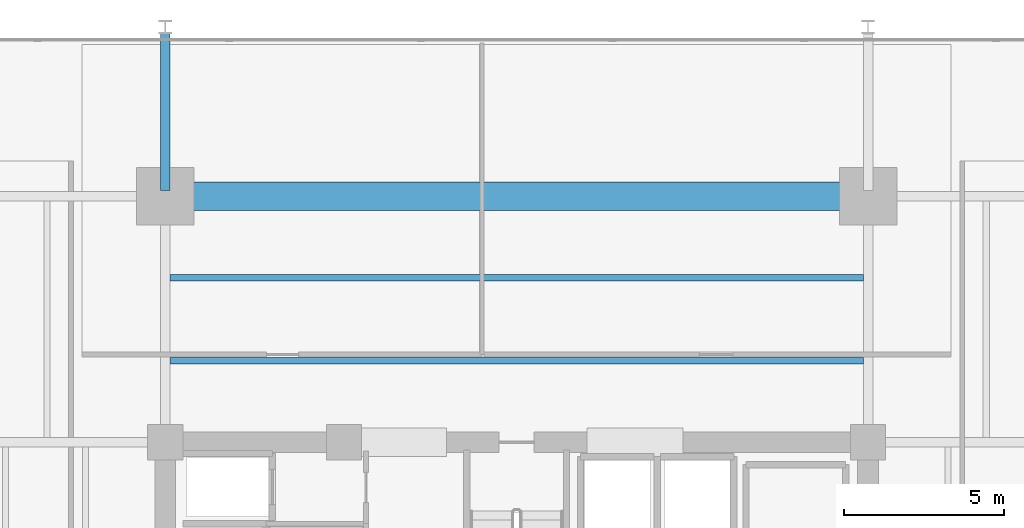
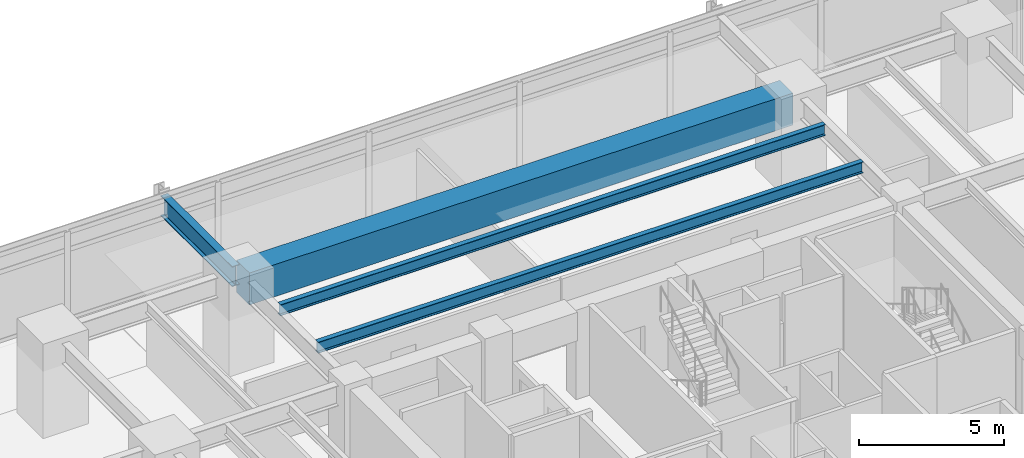
# One storey, part 9 of 21: 4 beams.
"""IFC4 building model written with IfcOpenShell, lengths in metres."""

from ifc_helpers import new_model, si_unit, direction, frame, origin, origin_2d, place, context, subcontext, project, spatial, rectangle, i_section, extrude, material, material_profile, profile_set, type_object, element, save


model = new_model("IFC4")

# Units and contexts
model_context = context("Model", 3, precision=1e-05, world=origin(), true_north=direction((0.0, 1.0)))
body_context = subcontext(model_context, "Body", "Model", "MODEL_VIEW")
ifc_project = project(units=[si_unit("LENGTHUNIT", "METRE"), si_unit("AREAUNIT", "SQUARE_METRE"), si_unit("VOLUMEUNIT", "CUBIC_METRE"), si_unit("PLANEANGLEUNIT", "RADIAN"), si_unit("MASSUNIT", "GRAM", prefix="KILO")], contexts=[model_context])

# Site, building, storey
site_placement = place(None, origin())
site = spatial("IfcSite", under=ifc_project, at=site_placement, CompositionType="ELEMENT")
building_placement = place(site_placement, origin())
building = spatial("IfcBuilding", under=site, at=building_placement, Name="Kovane Verandah Tower", CompositionType="ELEMENT")
storey_placement = place(building_placement, frame((0.0, 0.0, 27.60009765625)))
storey = spatial("IfcBuildingStorey", under=building, at=storey_placement, Name="L05", CompositionType="ELEMENT", Elevation=27.60009765625)

# Beams
ifc_material_1 = material(Name="Concrete C80/95", Category="concrete")
ifc_material_profile_1 = material_profile(ifc_material_1, rectangle(XDim=0.89990234375, YDim=1.35009765625, at=origin_2d()), Name="RCB900x1350")
ifc_profile_set_1 = profile_set([ifc_material_profile_1], Name="Concrete C80/95")
beam_type_1 = type_object("IfcBeamType", Name="BM-TR-900x1350", PredefinedType="BEAM", material=ifc_profile_set_1)
beam_1_placement = place(storey_placement, frame((29.179931640625, 44.199951171875, 3.0849609375), z_axis=(1.0, 0.0, 0.0), x_axis=(0.0, 1.0, 0.0)))
element("IfcBeam", 1, at=beam_1_placement, inside=storey, type_object=beam_type_1, Name="L05 Primary Tower Girder G-RN2", PredefinedType="BEAM", context=body_context, shape_type="SweptSolid", body=[
    extrude(rectangle(XDim=0.89990234375, YDim=1.35009765625, at=origin_2d()), origin(), (0.0, 0.0, 1.0), 21.64013671875),
])
ifc_material_2 = material(Name="Steel S355", Category="steel")
ifc_material_profile_2 = material_profile(ifc_material_2, i_section(OverallWidth=0.293701171875, OverallDepth=0.850830078125, WebThickness=0.01611328125, FlangeThickness=0.02685546875, FilletRadius=0.017822265625, at=origin_2d()), Name="UB838x292x226")
ifc_profile_set_2 = profile_set([ifc_material_profile_2], Name="Steel S355")
beam_type_2 = type_object("IfcBeamType", Name="BM-UB838x226", PredefinedType="BEAM", material=ifc_profile_set_2)
beam_2_placement = place(storey_placement, frame((29.0, 44.3798828125, 3.33447265625), z_axis=(0.0, 1.0, 0.0), x_axis=(-1.0, 0.0, 0.0)))
element("IfcBeam", 2, at=beam_2_placement, inside=storey, type_object=beam_type_2, Name="L05 Primary Tower Girder G-VN1", PredefinedType="BEAM", context=body_context, shape_type="SweptSolid", body=[
    extrude(i_section(OverallWidth=0.293701171875, OverallDepth=0.850830078125, WebThickness=0.01611328125, FlangeThickness=0.02685546875, FilletRadius=0.017822265625, at=origin_2d()), origin(), (0.0, 0.0, 1.0), 4.940185546875),
])
ifc_material_profile_3 = material_profile(ifc_material_2, i_section(OverallWidth=0.19287109375, OverallDepth=0.46728515625, WebThickness=0.011474609375, FlangeThickness=0.01953125, FilletRadius=0.01025390625, at=origin_2d()), Name="UB457x191x98")
ifc_profile_set_3 = profile_set([ifc_material_profile_3], Name="Steel S355")
beam_type_3 = type_object("IfcBeamType", Name="JST-UB457x98", PredefinedType="JOIST", material=ifc_profile_set_3)
for number, where, z_axis, x_axis, name in (
    (3, (29.14501953125, 39.050048828125, 3.5263671875), (1.0, 0.0, 0.0), (0.0, 1.0, 0.0), "L05 Secondary Composite Joist J-N1"),
    (4, (29.14501953125, 41.64990234375, 3.5263671875), (1.0, 0.0, 0.0), (0.0, 1.0, 0.0), "L05 Secondary Composite Joist J-N2"),
):
    element("IfcBeam", number, at=place(storey_placement, frame(where, z_axis=z_axis, x_axis=x_axis)), inside=storey, type_object=beam_type_3, Name=name, PredefinedType="JOIST", context=body_context, shape_type="SweptSolid", body=[
        extrude(i_section(OverallWidth=0.19287109375, OverallDepth=0.46728515625, WebThickness=0.011474609375, FlangeThickness=0.01953125, FilletRadius=0.01025390625, at=origin_2d()), origin(), (0.0, 0.0, 1.0), 21.7099609375),
    ])

save(model, "model.ifc")
